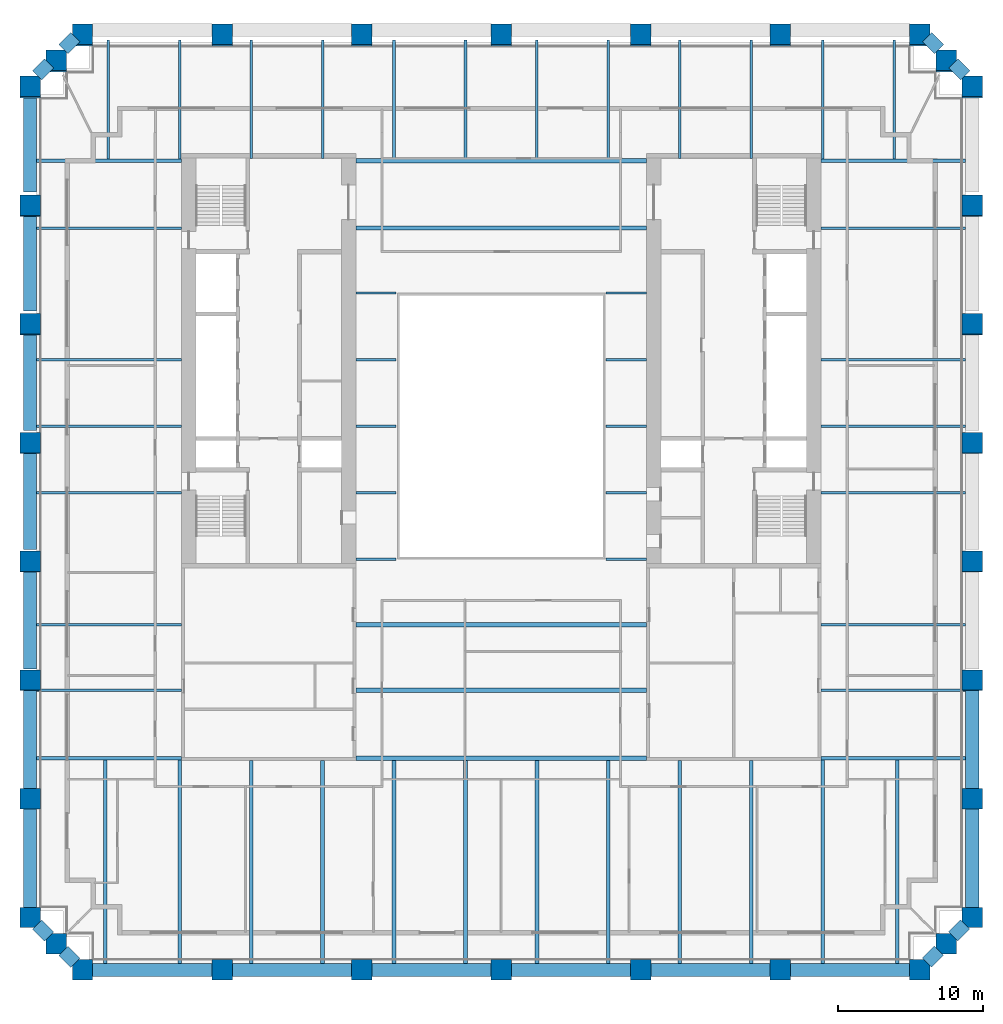
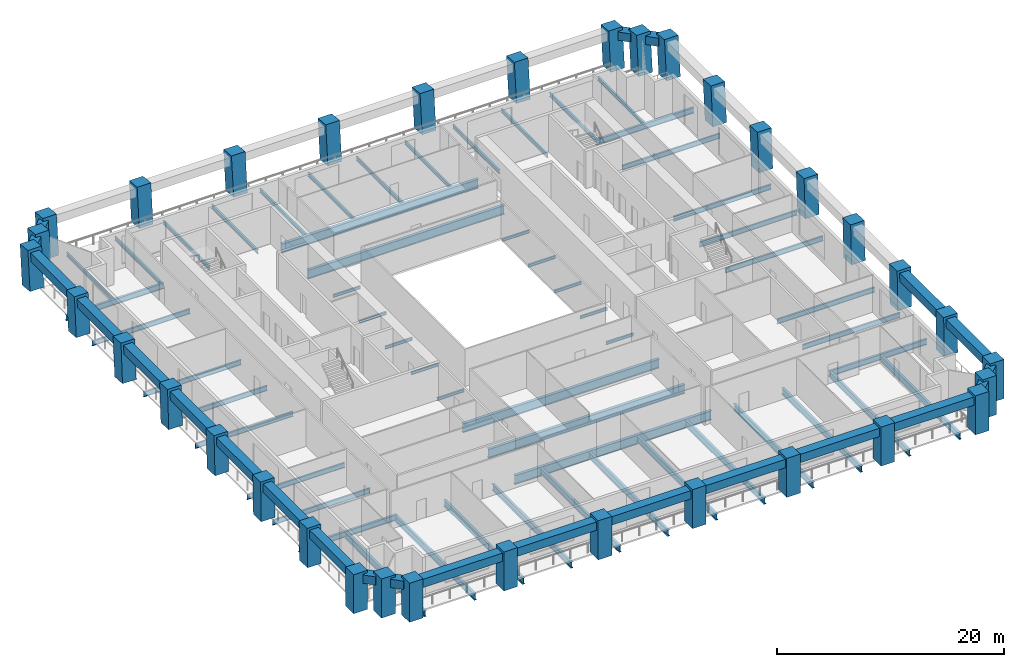
# One storey, part 1 of 9: 78 beams, 34 columns.
"""IFC4 building model written with IfcOpenShell, lengths in metres."""

import ifcopenshell
import ifcopenshell.guid

model = None  # the IFC model being written
_history = None  # IfcOwnerHistory: only IFC2X3 demands one
_inside = {}  # id of a spatial element -> (the spatial element, [elements in it])
_under = {}  # id of a project, library or spatial element -> (it, [spatial elements below it])
_declared = {}  # id of a project -> (the project, [libraries it declares])
_typed = {}  # id of a type object -> (the type object, [elements of that type])
_made_of = {}  # id of a material, layer set ... -> (it, [elements and type objects made of it])


def new_model(schema):
    """Start an empty IFC model of exactly this schema.

    Asked for "IFC4X3", IfcOpenShell would pick the latest addendum, in which some entities
    have other attributes; the version numbers below select the first issue.
    IFC2X3 requires an IfcOwnerHistory on every rooted entity: one is made here for all.
    """
    global model, _history
    if schema == "IFC4X3":
        model = ifcopenshell.file(schema_version=(4, 3, 0, 0))
    else:
        model = ifcopenshell.file(schema=schema)
    _inside.clear()
    _under.clear()
    _declared.clear()
    _typed.clear()
    _made_of.clear()
    _history = None
    if model.schema == "IFC2X3":
        org = make("IfcOrganization", Name="unknown")
        user = make(
            "IfcPersonAndOrganization",
            ThePerson=make("IfcPerson", FamilyName="unknown"),
            TheOrganization=org,
        )
        app = make(
            "IfcApplication",
            ApplicationDeveloper=org,
            Version="unknown",
            ApplicationFullName="unknown",
            ApplicationIdentifier="unknown",
        )
        _history = make(
            "IfcOwnerHistory",
            OwningUser=user,
            OwningApplication=app,
            ChangeAction="ADDED",
            CreationDate=0,
        )
    return model


def make(cls, **values):
    """One entity of the class cls with the attributes given. An attribute that is None is left unset."""
    return model.create_entity(
        cls, **{name: value for name, value in values.items() if value is not None}
    )


def rooted(cls, **values):
    """An entity with a GlobalId (a new one), such as an element, a storey or a relation."""
    return make(cls, GlobalId=ifcopenshell.guid.new(), OwnerHistory=_history, **values)


def si_unit(unit_type, name, prefix=None):
    """IfcSIUnit, for example si_unit("LENGTHUNIT", "METRE", prefix="MILLI")."""
    return make("IfcSIUnit", UnitType=unit_type, Prefix=prefix, Name=name)


def assignment(units):
    """IfcUnitAssignment: the units of a project."""
    return None if units is None else make("IfcUnitAssignment", Units=units)


def point(xyz):
    """IfcCartesianPoint."""
    return None if xyz is None else make("IfcCartesianPoint", Coordinates=xyz)


def direction(xyz):
    """IfcDirection."""
    return None if xyz is None else make("IfcDirection", DirectionRatios=xyz)


def frame(location, z_axis=None, x_axis=None):
    """IfcAxis2Placement3D, a coordinate frame: its origin and axes. An axis left out is left unset."""
    return make(
        "IfcAxis2Placement3D",
        Location=point(location),
        Axis=direction(z_axis),
        RefDirection=direction(x_axis),
    )


def frame_2d(location, x_axis=None):
    """IfcAxis2Placement2D, a coordinate frame in the plane: its origin and x axis."""
    return make(
        "IfcAxis2Placement2D", Location=point(location), RefDirection=direction(x_axis)
    )


def origin():
    """The frame at (0, 0, 0) with its axes left unset."""
    return frame((0.0, 0.0, 0.0))


def origin_2d():
    """The frame at (0, 0) in the plane with its x axis left unset."""
    return frame_2d((0.0, 0.0))


def place(relative_to, where):
    """IfcLocalPlacement: puts the frame where relative to a parent placement (None: the world)."""
    return make(
        "IfcLocalPlacement", PlacementRelTo=relative_to, RelativePlacement=where
    )


def context(
    kind, dimensions, precision=None, world=None, true_north=None, identifier=None
):
    """IfcGeometricRepresentationContext, for example the 3D "Model" context."""
    return make(
        "IfcGeometricRepresentationContext",
        ContextIdentifier=identifier,
        ContextType=kind,
        CoordinateSpaceDimension=dimensions,
        Precision=precision,
        WorldCoordinateSystem=world,
        TrueNorth=true_north,
    )


def subcontext(parent, identifier, kind, view, scale=None):
    """IfcGeometricRepresentationSubContext, for example "Body" below "Model"."""
    return make(
        "IfcGeometricRepresentationSubContext",
        ContextIdentifier=identifier,
        ContextType=kind,
        ParentContext=parent,
        TargetScale=scale,
        TargetView=view,
    )


def project(units=None, contexts=None):
    """IfcProject with its units and contexts."""
    return rooted(
        "IfcProject",
        Name="project",
        RepresentationContexts=contexts,
        UnitsInContext=assignment(units),
    )


def spatial(cls, under=None, at=None, **own):
    """A site, building, storey or space (cls), placed at a placement, below another one or the project."""
    s = rooted(cls, ObjectPlacement=at, **own)
    if under is not None:
        _under.setdefault(under.id(), (under, []))[1].append(s)
    return s


def profile(cls, at=None, kind="AREA", **sizes):
    """A parametric profile (cls). Its sizes go by their IFC names, for example OverallWidth=200.0."""
    return make(cls, ProfileType=kind, Position=at, **sizes)


def rectangle(**sizes):
    """IfcRectangleProfileDef."""
    return profile("IfcRectangleProfileDef", **sizes)


def i_section(**sizes):
    """IfcIShapeProfileDef."""
    return profile("IfcIShapeProfileDef", **sizes)


def extrude(swept, where, along, depth):
    """IfcExtrudedAreaSolid: the profile swept, set in the frame where, extruded along a direction by depth."""
    return make(
        "IfcExtrudedAreaSolid",
        SweptArea=swept,
        Position=where,
        ExtrudedDirection=direction(along),
        Depth=depth,
    )


def shape(context_of_items, identifier, shape_type, items):
    """IfcShapeRepresentation: the items that make up one representation, for example the "Body"."""
    return make(
        "IfcShapeRepresentation",
        ContextOfItems=context_of_items,
        RepresentationIdentifier=identifier,
        RepresentationType=shape_type,
        Items=items,
    )


def material(Name=None, Category=None):
    """IfcMaterial."""
    return make("IfcMaterial", Name=Name, Category=Category)


def material_profile(
    of_material, cross_section, Name=None, Category=None, Priority=None
):
    """IfcMaterialProfile: a cross section and its material."""
    return make(
        "IfcMaterialProfile",
        Name=Name,
        Material=of_material,
        Profile=cross_section,
        Priority=Priority,
        Category=Category,
    )


def profile_set(profiles, Name=None, composite=None):
    """IfcMaterialProfileSet."""
    return make(
        "IfcMaterialProfileSet",
        Name=Name,
        MaterialProfiles=profiles,
        CompositeProfile=composite,
    )


def made_of(thing, what):
    """Note that an element or type object is made of a material, layer set ...; save() writes the relation."""
    if what is not None:
        _made_of.setdefault(what.id(), (what, []))[1].append(thing)
    return thing


def type_object(cls, material=None, **own):
    """A type object (cls), such as IfcWallType, which elements share."""
    return made_of(rooted(cls, **own), material)


def element(
    cls,
    number,
    at=None,
    inside=None,
    cuts=None,
    type_object=None,
    material=None,
    context=None,
    identifier="Body",
    shape_type=None,
    held_by="IfcProductDefinitionShape",
    body=None,
    shapes=None,
    **own,
):
    """One element of the class cls, such as IfcWall. Its Tag is "e" and its number.

    at: its placement. inside: the storey or other place that contains it. cuts: it is an
    opening in that element (IfcRelVoidsElement). A single representation is given by context,
    identifier, shape_type and body (its items); several are given by shapes. held_by: the class
    of the entity that holds the representations. save() writes the other relations.
    """
    e = rooted(cls, Tag="e%d" % number, ObjectPlacement=at, **own)
    if body is not None:
        shapes = [shape(context, identifier, shape_type, body)]
    if shapes is not None:
        e.Representation = make(held_by, Representations=shapes)
    if inside is not None:
        _inside.setdefault(inside.id(), (inside, []))[1].append(e)
    if cuts is not None:
        rooted(
            "IfcRelVoidsElement", RelatingBuildingElement=cuts, RelatedOpeningElement=e
        )
    if type_object is not None:
        _typed.setdefault(type_object.id(), (type_object, []))[1].append(e)
    return made_of(e, material)


def aggregate(whole, parts):
    """IfcRelAggregates: a whole, such as a stair, and the parts it consists of."""
    return rooted("IfcRelAggregates", RelatingObject=whole, RelatedObjects=parts)


def save(model, path):
    """Write the relations noted so far, then the file.

    IfcRelAggregates (storeys below a building ...), IfcRelContainedInSpatialStructure (elements
    in a storey), IfcRelDefinesByType, IfcRelAssociatesMaterial and IfcRelDeclares: one each for
    every whole, place, type object, material and project.
    """
    for whole, parts in _under.values():
        aggregate(whole, parts)
    for where, things in _inside.values():
        rooted(
            "IfcRelContainedInSpatialStructure",
            RelatedElements=things,
            RelatingStructure=where,
        )
    for kind, things in _typed.values():
        rooted("IfcRelDefinesByType", RelatedObjects=things, RelatingType=kind)
    for what, things in _made_of.values():
        rooted("IfcRelAssociatesMaterial", RelatedObjects=things, RelatingMaterial=what)
    for by, libraries in _declared.values():
        rooted("IfcRelDeclares", RelatingContext=by, RelatedDefinitions=libraries)
    model.write(path)


model = new_model("IFC4")

# Units and contexts
model_context = context("Model", 3, precision=1e-05, world=origin(), true_north=direction((0.0, 1.0)))
body_context = subcontext(model_context, "Body", "Model", "MODEL_VIEW")
ifc_project = project(units=[si_unit("LENGTHUNIT", "METRE"), si_unit("AREAUNIT", "SQUARE_METRE"), si_unit("VOLUMEUNIT", "CUBIC_METRE"), si_unit("PLANEANGLEUNIT", "RADIAN"), si_unit("MASSUNIT", "GRAM", prefix="KILO")], contexts=[model_context])

# Site, building, storey
site_placement = place(None, origin())
site = spatial("IfcSite", under=ifc_project, at=site_placement, CompositionType="ELEMENT")
building_placement = place(site_placement, origin())
building = spatial("IfcBuilding", under=site, at=building_placement, Name="Ogive Exchange Tower", CompositionType="ELEMENT")
storey_placement = place(building_placement, frame((0.0, 0.0, 60.60009765625)))
storey = spatial("IfcBuildingStorey", under=building, at=storey_placement, Name="L12", CompositionType="ELEMENT", Elevation=60.60009765625)

# Columns
ifc_material_1 = material(Name="Precast concrete C70/85 (limestone faced)", Category="masonry")
ifc_material_profile_1 = material_profile(ifc_material_1, rectangle(XDim=1.39990234375, YDim=1.39990234375, at=origin_2d()), Name="1400 x 1400")
ifc_profile_set_1 = profile_set([ifc_material_profile_1], Name="Precast concrete C70/85 (limestone faced)")
column_type = type_object("IfcColumnType", Name="Precast exoskeleton leg 1400 x 1400 C70/85", PredefinedType="COLUMN", material=ifc_profile_set_1)
for number, where, z_axis, x_axis, name in (
    (1, (-28.800048828125, -30.39990234375, 0.0), (0.0, 0.0, 1.0), (1.0, 0.0, 0.0), "Exoskeleton leg 1"),
    (2, (-19.199951171875, -30.39990234375, 0.0), (0.0, 0.0, 1.0), (1.0, 0.0, 0.0), "Exoskeleton leg 2"),
    (3, (-9.60009765625, -30.39990234375, 0.0), (0.0, 0.0, 1.0), (1.0, 0.0, 0.0), "Exoskeleton leg 3"),
    (4, (0.0, -30.39990234375, 0.0), (0.0, 0.0, 1.0), (1.0, 0.0, 0.0), "Exoskeleton leg 4"),
    (5, (9.60009765625, -30.39990234375, 0.0), (0.0, 0.0, 1.0), (1.0, 0.0, 0.0), "Exoskeleton leg 5"),
    (6, (19.199951171875, -30.39990234375, 0.0), (0.0, 0.0, 1.0), (1.0, 0.0, 0.0), "Exoskeleton leg 6"),
    (7, (28.800048828125, -30.39990234375, 0.0), (0.0, 0.0, 1.0), (1.0, 0.0, 0.0), "Exoskeleton leg 7"),
    (8, (32.39990234375, -26.800048828125, 0.0), (0.0, 0.0, 1.0), (1.0, 0.0, 0.0), "Exoskeleton leg 8"),
):
    element("IfcColumn", number, at=place(storey_placement, frame(where, z_axis=z_axis, x_axis=x_axis)), inside=storey, type_object=column_type, Name=name, PredefinedType="COLUMN", context=body_context, shape_type="SweptSolid", body=[
        extrude(rectangle(XDim=1.39990234375, YDim=1.39990234375, at=origin_2d()), origin(), (0.0, 0.0, 1.0), 4.199951171875),
    ])
column_1_placement = place(storey_placement, frame((32.39990234375, -18.6494140625, 0.0), z_axis=(0.0, 0.013019881024, 0.999915237757), x_axis=(-1.0, 0.0, 0.0)))
element("IfcColumn", 9, at=column_1_placement, inside=storey, type_object=column_type, Name="Exoskeleton leg 9", PredefinedType="COLUMN", context=body_context, shape_type="SweptSolid", body=[
    extrude(rectangle(XDim=1.39990234375, YDim=1.39990234375, at=origin_2d()), origin(), (0.0, 0.0, 1.0), 4.2001953125),
])
column_2_placement = place(storey_placement, frame((32.39990234375, -10.498779296875, 0.0), z_axis=(0.0, 0.025975072843, 0.999662590873), x_axis=(-1.0, 0.0, 0.0)))
element("IfcColumn", 10, at=column_2_placement, inside=storey, type_object=column_type, Name="Exoskeleton leg 10", PredefinedType="COLUMN", context=body_context, shape_type="SweptSolid", body=[
    extrude(rectangle(XDim=1.39990234375, YDim=1.39990234375, at=origin_2d()), origin(), (0.0, 0.0, 1.0), 4.201416015625),
])
column_3_placement = place(storey_placement, frame((32.39990234375, -2.34814453125, 0.0), z_axis=(0.0, 0.038975188043, 0.999240178694), x_axis=(-1.0, 0.0, 0.0)))
element("IfcColumn", 11, at=column_3_placement, inside=storey, type_object=column_type, Name="Exoskeleton leg 11", PredefinedType="COLUMN", context=body_context, shape_type="SweptSolid", body=[
    extrude(rectangle(XDim=1.39990234375, YDim=1.39990234375, at=origin_2d()), origin(), (0.0, 0.0, 1.0), 4.203125),
])
column_4_placement = place(storey_placement, frame((32.39990234375, 5.802490234375, 0.0), z_axis=(0.0, 0.051897648879, 0.99865240902), x_axis=(-1.0, 0.0, 0.0)))
element("IfcColumn", 12, at=column_4_placement, inside=storey, type_object=column_type, Name="Exoskeleton leg 12", PredefinedType="COLUMN", context=body_context, shape_type="SweptSolid", body=[
    extrude(rectangle(XDim=1.39990234375, YDim=1.39990234375, at=origin_2d()), origin(), (0.0, 0.0, 1.0), 4.20556640625),
])
column_5_placement = place(storey_placement, frame((32.39990234375, 13.953125, 0.0), z_axis=(0.0, 0.064851857298, 0.997894902585), x_axis=(-1.0, 0.0, 0.0)))
element("IfcColumn", 13, at=column_5_placement, inside=storey, type_object=column_type, Name="Exoskeleton leg 13", PredefinedType="COLUMN", context=body_context, shape_type="SweptSolid", body=[
    extrude(rectangle(XDim=1.39990234375, YDim=1.39990234375, at=origin_2d()), origin(), (0.0, 0.0, 1.0), 4.208740234375),
])
column_6_placement = place(storey_placement, frame((32.39990234375, 22.10400390625, 0.0), z_axis=(0.0, 0.077658156178, 0.996980045326), x_axis=(-1.0, 0.0, 0.0)))
element("IfcColumn", 14, at=column_6_placement, inside=storey, type_object=column_type, Name="Exoskeleton leg 14", PredefinedType="COLUMN", context=body_context, shape_type="SweptSolid", body=[
    extrude(rectangle(XDim=1.39990234375, YDim=1.39990234375, at=origin_2d()), origin(), (0.0, 0.0, 1.0), 4.212646484375),
])
for number, where, z_axis, x_axis, name in (
    (15, (32.39990234375, 30.25439453125, 0.0), (0.0, 0.090598381313, 0.995887510366), (-1.0, 0.0, 0.0), "Exoskeleton leg 15"),
    (16, (28.800048828125, 33.8544921875, 0.0), (0.0, 0.090540965689, 0.995892731941), (-1.0, 0.0, 0.0), "Exoskeleton leg 16"),
    (17, (19.199951171875, 33.8544921875, 0.0), (0.0, 0.090540965689, 0.995892731941), (-1.0, 0.0, 0.0), "Exoskeleton leg 17"),
    (18, (9.60009765625, 33.8544921875, 0.0), (0.0, 0.090540965689, 0.995892731941), (-1.0, 0.0, 0.0), "Exoskeleton leg 18"),
    (19, (0.0, 33.8544921875, 0.0), (0.0, 0.090540965689, 0.995892731941), (-1.0, 0.0, 0.0), "Exoskeleton leg 19"),
    (20, (-9.60009765625, 33.8544921875, 0.0), (0.0, 0.090540965689, 0.995892731941), (-1.0, 0.0, 0.0), "Exoskeleton leg 20"),
    (21, (-19.199951171875, 33.8544921875, 0.0), (0.0, 0.090540965689, 0.995892731941), (-1.0, 0.0, 0.0), "Exoskeleton leg 21"),
    (22, (-28.800048828125, 33.8544921875, 0.0), (0.0, 0.090540965689, 0.995892731941), (-1.0, 0.0, 0.0), "Exoskeleton leg 22"),
    (23, (-32.39990234375, 30.25439453125, 0.0), (0.0, 0.090598381313, 0.995887510366), (-1.0, 0.0, 0.0), "Exoskeleton leg 23"),
):
    element("IfcColumn", number, at=place(storey_placement, frame(where, z_axis=z_axis, x_axis=x_axis)), inside=storey, type_object=column_type, Name=name, PredefinedType="COLUMN", context=body_context, shape_type="SweptSolid", body=[
        extrude(rectangle(XDim=1.39990234375, YDim=1.39990234375, at=origin_2d()), origin(), (0.0, 0.0, 1.0), 4.21728515625),
    ])
column_7_placement = place(storey_placement, frame((-32.39990234375, 22.10400390625, 0.0), z_axis=(0.0, 0.077658156178, 0.996980045326), x_axis=(-1.0, 0.0, 0.0)))
element("IfcColumn", 24, at=column_7_placement, inside=storey, type_object=column_type, Name="Exoskeleton leg 24", PredefinedType="COLUMN", context=body_context, shape_type="SweptSolid", body=[
    extrude(rectangle(XDim=1.39990234375, YDim=1.39990234375, at=origin_2d()), origin(), (0.0, 0.0, 1.0), 4.212646484375),
])
column_8_placement = place(storey_placement, frame((-32.39990234375, 13.953125, 0.0), z_axis=(0.0, 0.064851857298, 0.997894902585), x_axis=(-1.0, 0.0, 0.0)))
element("IfcColumn", 25, at=column_8_placement, inside=storey, type_object=column_type, Name="Exoskeleton leg 25", PredefinedType="COLUMN", context=body_context, shape_type="SweptSolid", body=[
    extrude(rectangle(XDim=1.39990234375, YDim=1.39990234375, at=origin_2d()), origin(), (0.0, 0.0, 1.0), 4.208740234375),
])
column_9_placement = place(storey_placement, frame((-32.39990234375, 5.802490234375, 0.0), z_axis=(0.0, 0.051897648879, 0.99865240902), x_axis=(-1.0, 0.0, 0.0)))
element("IfcColumn", 26, at=column_9_placement, inside=storey, type_object=column_type, Name="Exoskeleton leg 26", PredefinedType="COLUMN", context=body_context, shape_type="SweptSolid", body=[
    extrude(rectangle(XDim=1.39990234375, YDim=1.39990234375, at=origin_2d()), origin(), (0.0, 0.0, 1.0), 4.20556640625),
])
column_10_placement = place(storey_placement, frame((-32.39990234375, -2.34814453125, 0.0), z_axis=(0.0, 0.038975188043, 0.999240178694), x_axis=(-1.0, 0.0, 0.0)))
element("IfcColumn", 27, at=column_10_placement, inside=storey, type_object=column_type, Name="Exoskeleton leg 27", PredefinedType="COLUMN", context=body_context, shape_type="SweptSolid", body=[
    extrude(rectangle(XDim=1.39990234375, YDim=1.39990234375, at=origin_2d()), origin(), (0.0, 0.0, 1.0), 4.203125),
])
column_11_placement = place(storey_placement, frame((-32.39990234375, -10.498779296875, 0.0), z_axis=(0.0, 0.025975072843, 0.999662590873), x_axis=(-1.0, 0.0, 0.0)))
element("IfcColumn", 28, at=column_11_placement, inside=storey, type_object=column_type, Name="Exoskeleton leg 28", PredefinedType="COLUMN", context=body_context, shape_type="SweptSolid", body=[
    extrude(rectangle(XDim=1.39990234375, YDim=1.39990234375, at=origin_2d()), origin(), (0.0, 0.0, 1.0), 4.201416015625),
])
column_12_placement = place(storey_placement, frame((-32.39990234375, -18.6494140625, 0.0), z_axis=(0.0, 0.013019881024, 0.999915237757), x_axis=(-1.0, 0.0, 0.0)))
element("IfcColumn", 29, at=column_12_placement, inside=storey, type_object=column_type, Name="Exoskeleton leg 29", PredefinedType="COLUMN", context=body_context, shape_type="SweptSolid", body=[
    extrude(rectangle(XDim=1.39990234375, YDim=1.39990234375, at=origin_2d()), origin(), (0.0, 0.0, 1.0), 4.2001953125),
])
for number, where, z_axis, x_axis, name in (
    (30, (-32.39990234375, -26.800048828125, 0.0), (0.0, 0.0, 1.0), (1.0, 0.0, 0.0), "Exoskeleton leg 30"),
    (31, (30.60009765625, -28.60009765625, 0.0), (0.0, 0.0, 1.0), (1.0, 0.0, 0.0), "Exoskeleton leg 31"),
):
    element("IfcColumn", number, at=place(storey_placement, frame(where, z_axis=z_axis, x_axis=x_axis)), inside=storey, type_object=column_type, Name=name, PredefinedType="COLUMN", context=body_context, shape_type="SweptSolid", body=[
        extrude(rectangle(XDim=1.39990234375, YDim=1.39990234375, at=origin_2d()), origin(), (0.0, 0.0, 1.0), 4.199951171875),
    ])
for number, where, z_axis, x_axis, name in (
    (32, (30.60009765625, 32.054443359375, 0.0), (0.0, 0.090540965689, 0.995892731941), (-1.0, 0.0, 0.0), "Exoskeleton leg 32"),
    (33, (-30.60009765625, 32.054443359375, 0.0), (0.0, 0.090540965689, 0.995892731941), (-1.0, 0.0, 0.0), "Exoskeleton leg 33"),
):
    element("IfcColumn", number, at=place(storey_placement, frame(where, z_axis=z_axis, x_axis=x_axis)), inside=storey, type_object=column_type, Name=name, PredefinedType="COLUMN", context=body_context, shape_type="SweptSolid", body=[
        extrude(rectangle(XDim=1.39990234375, YDim=1.39990234375, at=origin_2d()), origin(), (0.0, 0.0, 1.0), 4.21728515625),
    ])
column_13_placement = place(storey_placement, frame((-30.60009765625, -28.60009765625, 0.0), z_axis=(0.0, 0.0, 1.0), x_axis=(1.0, 0.0, 0.0)))
element("IfcColumn", 34, at=column_13_placement, inside=storey, type_object=column_type, Name="Exoskeleton leg 34", PredefinedType="COLUMN", context=body_context, shape_type="SweptSolid", body=[
    extrude(rectangle(XDim=1.39990234375, YDim=1.39990234375, at=origin_2d()), origin(), (0.0, 0.0, 1.0), 4.199951171875),
])

# Beams
ifc_material_2 = material(Name="Steel ASTM A992 Gr50", Category="steel")
ifc_material_profile_2 = material_profile(ifc_material_2, i_section(OverallWidth=0.300048828125, OverallDepth=0.969970703125, WebThickness=0.01611328125, FlangeThickness=0.02099609375, at=origin_2d()), Name="W1000x222")
ifc_profile_set_2 = profile_set([ifc_material_profile_2], Name="Steel ASTM A992 Gr50")
beam_type_1 = type_object("IfcBeamType", Name="Floor beam W1000x222", PredefinedType="JOIST", material=ifc_profile_set_2)
for number, where, z_axis, x_axis, name in (
    (35, (-10.0, -11.17822265625, -0.68505859375), (1.0, 0.0, 0.0), (0.0, 1.0, 0.0), "Floor beam"),
    (36, (-10.0, -6.666748046875, -0.68505859375), (1.0, 0.0, 0.0), (0.0, 1.0, 0.0), "Floor beam"),
    (37, (-10.0, 20.62255859375, -0.68505859375), (1.0, 0.0, 0.0), (0.0, 1.0, 0.0), "Floor beam"),
):
    element("IfcBeam", number, at=place(storey_placement, frame(where, z_axis=z_axis, x_axis=x_axis)), inside=storey, type_object=beam_type_1, Name=name, PredefinedType="JOIST", context=body_context, shape_type="SweptSolid", body=[
        extrude(i_section(OverallWidth=0.300048828125, OverallDepth=0.969970703125, WebThickness=0.01611328125, FlangeThickness=0.02099609375, at=origin_2d()), origin(), (0.0, 0.0, 1.0), 20.0),
    ])
ifc_material_profile_3 = material_profile(ifc_material_2, i_section(OverallWidth=0.1650390625, OverallDepth=0.31005859375, WebThickness=0.005859375, FlangeThickness=0.009765625, at=origin_2d()), Name="W310x38.7")
ifc_profile_set_3 = profile_set([ifc_material_profile_3], Name="Steel ASTM A992 Gr50")
beam_type_2 = type_object("IfcBeamType", Name="Floor beam W310x38.7", PredefinedType="JOIST", material=ifc_profile_set_3)
for number, where, z_axis, x_axis, name in (
    (38, (-10.0, 2.422607421875, -0.35498046875), (1.0, 0.0, 0.0), (0.0, 1.0, 0.0), "Floor beam"),
    (39, (7.219970703125, 2.422607421875, -0.35498046875), (1.0, 0.0, 0.0), (0.0, 1.0, 0.0), "Floor beam"),
    (40, (-10.0, 7.0, -0.35498046875), (1.0, 0.0, 0.0), (0.0, 1.0, 0.0), "Floor beam"),
    (41, (7.219970703125, 7.0, -0.35498046875), (1.0, 0.0, 0.0), (0.0, 1.0, 0.0), "Floor beam"),
    (42, (-10.0, 11.577392578125, -0.35498046875), (1.0, 0.0, 0.0), (0.0, 1.0, 0.0), "Floor beam"),
    (43, (7.219970703125, 11.577392578125, -0.35498046875), (1.0, 0.0, 0.0), (0.0, 1.0, 0.0), "Floor beam"),
):
    element("IfcBeam", number, at=place(storey_placement, frame(where, z_axis=z_axis, x_axis=x_axis)), inside=storey, type_object=beam_type_2, Name=name, PredefinedType="JOIST", context=body_context, shape_type="SweptSolid", body=[
        extrude(i_section(OverallWidth=0.1650390625, OverallDepth=0.31005859375, WebThickness=0.005859375, FlangeThickness=0.009765625, at=origin_2d()), origin(), (0.0, 0.0, 1.0), 2.780029296875),
    ])
ifc_material_profile_4 = material_profile(ifc_material_2, i_section(OverallWidth=0.177978515625, OverallDepth=0.406005859375, WebThickness=0.0078125, FlangeThickness=0.0126953125, at=origin_2d()), Name="W410x60")
ifc_profile_set_4 = profile_set([ifc_material_profile_4], Name="Steel ASTM A992 Gr50")
beam_type_3 = type_object("IfcBeamType", Name="Floor beam W410x60", PredefinedType="JOIST", material=ifc_profile_set_4)
for number, where, z_axis, x_axis, name in (
    (44, (-27.03466796875, 25.35888671875, -0.403076171875), (0.0, 1.0, 0.0), (-1.0, 0.0, 0.0), "Floor beam"),
    (45, (-22.119140625, 25.35888671875, -0.403076171875), (0.0, 1.0, 0.0), (-1.0, 0.0, 0.0), "Floor beam"),
):
    element("IfcBeam", number, at=place(storey_placement, frame(where, z_axis=z_axis, x_axis=x_axis)), inside=storey, type_object=beam_type_3, Name=name, PredefinedType="JOIST", context=body_context, shape_type="SweptSolid", body=[
        extrude(i_section(OverallWidth=0.177978515625, OverallDepth=0.406005859375, WebThickness=0.0078125, FlangeThickness=0.0126953125, at=origin_2d()), origin(), (0.0, 0.0, 1.0), 8.195556640625),
    ])
for number, where, z_axis, x_axis, name in (
    (46, (-17.203857421875, 25.39990234375, -0.403076171875), (0.0, 1.0, 0.0), (-1.0, 0.0, 0.0), "Floor beam"),
    (47, (-12.28857421875, 25.39990234375, -0.403076171875), (0.0, 1.0, 0.0), (-1.0, 0.0, 0.0), "Floor beam"),
):
    element("IfcBeam", number, at=place(storey_placement, frame(where, z_axis=z_axis, x_axis=x_axis)), inside=storey, type_object=beam_type_3, Name=name, PredefinedType="JOIST", context=body_context, shape_type="SweptSolid", body=[
        extrude(i_section(OverallWidth=0.177978515625, OverallDepth=0.406005859375, WebThickness=0.0078125, FlangeThickness=0.0126953125, at=origin_2d()), origin(), (0.0, 0.0, 1.0), 8.154541015625),
    ])
for number, where, z_axis, x_axis, name in (
    (48, (-7.373046875, 25.39501953125, -0.403076171875), (0.0, 1.0, 0.0), (-1.0, 0.0, 0.0), "Floor beam"),
    (49, (-2.457763671875, 25.39501953125, -0.403076171875), (0.0, 1.0, 0.0), (-1.0, 0.0, 0.0), "Floor beam"),
    (50, (2.457763671875, 25.39501953125, -0.403076171875), (0.0, 1.0, 0.0), (-1.0, 0.0, 0.0), "Floor beam"),
    (51, (7.373046875, 25.39501953125, -0.403076171875), (0.0, 1.0, 0.0), (-1.0, 0.0, 0.0), "Floor beam"),
):
    element("IfcBeam", number, at=place(storey_placement, frame(where, z_axis=z_axis, x_axis=x_axis)), inside=storey, type_object=beam_type_3, Name=name, PredefinedType="JOIST", context=body_context, shape_type="SweptSolid", body=[
        extrude(i_section(OverallWidth=0.177978515625, OverallDepth=0.406005859375, WebThickness=0.0078125, FlangeThickness=0.0126953125, at=origin_2d()), origin(), (0.0, 0.0, 1.0), 8.159423828125),
    ])
for number, where, z_axis, x_axis, name in (
    (52, (12.28857421875, 25.39990234375, -0.403076171875), (0.0, 1.0, 0.0), (-1.0, 0.0, 0.0), "Floor beam"),
    (53, (17.203857421875, 25.39990234375, -0.403076171875), (0.0, 1.0, 0.0), (-1.0, 0.0, 0.0), "Floor beam"),
):
    element("IfcBeam", number, at=place(storey_placement, frame(where, z_axis=z_axis, x_axis=x_axis)), inside=storey, type_object=beam_type_3, Name=name, PredefinedType="JOIST", context=body_context, shape_type="SweptSolid", body=[
        extrude(i_section(OverallWidth=0.177978515625, OverallDepth=0.406005859375, WebThickness=0.0078125, FlangeThickness=0.0126953125, at=origin_2d()), origin(), (0.0, 0.0, 1.0), 8.154541015625),
    ])
for number, where, z_axis, x_axis, name in (
    (54, (22.119140625, 25.35888671875, -0.403076171875), (0.0, 1.0, 0.0), (-1.0, 0.0, 0.0), "Floor beam"),
    (55, (27.03466796875, 25.35888671875, -0.403076171875), (0.0, 1.0, 0.0), (-1.0, 0.0, 0.0), "Floor beam"),
):
    element("IfcBeam", number, at=place(storey_placement, frame(where, z_axis=z_axis, x_axis=x_axis)), inside=storey, type_object=beam_type_3, Name=name, PredefinedType="JOIST", context=body_context, shape_type="SweptSolid", body=[
        extrude(i_section(OverallWidth=0.177978515625, OverallDepth=0.406005859375, WebThickness=0.0078125, FlangeThickness=0.0126953125, at=origin_2d()), origin(), (0.0, 0.0, 1.0), 8.195556640625),
    ])
ifc_material_profile_5 = material_profile(ifc_material_2, i_section(OverallWidth=0.1669921875, OverallDepth=0.535888671875, WebThickness=0.01025390625, FlangeThickness=0.0166015625, at=origin_2d()), Name="W530x85")
ifc_profile_set_5 = profile_set([ifc_material_profile_5], Name="Steel ASTM A992 Gr50")
beam_type_4 = type_object("IfcBeamType", Name="Floor beam W530x85", PredefinedType="JOIST", material=ifc_profile_set_5)
for number, where, z_axis, x_axis, name in (
    (56, (-31.949951171875, -11.17822265625, -0.468017578125), (1.0, 0.0, 0.0), (0.0, 1.0, 0.0), "Floor beam"),
    (57, (22.0, -11.17822265625, -0.468017578125), (1.0, 0.0, 0.0), (0.0, 1.0, 0.0), "Floor beam"),
    (58, (-31.949951171875, -6.666748046875, -0.468017578125), (1.0, 0.0, 0.0), (0.0, 1.0, 0.0), "Floor beam"),
    (59, (22.0, -6.666748046875, -0.468017578125), (1.0, 0.0, 0.0), (0.0, 1.0, 0.0), "Floor beam"),
    (60, (-31.949951171875, 2.422607421875, -0.468017578125), (1.0, 0.0, 0.0), (0.0, 1.0, 0.0), "Floor beam"),
    (61, (22.0, 2.422607421875, -0.468017578125), (1.0, 0.0, 0.0), (0.0, 1.0, 0.0), "Floor beam"),
    (62, (-31.949951171875, 7.0, -0.468017578125), (1.0, 0.0, 0.0), (0.0, 1.0, 0.0), "Floor beam"),
    (63, (22.0, 7.0, -0.468017578125), (1.0, 0.0, 0.0), (0.0, 1.0, 0.0), "Floor beam"),
    (64, (-31.949951171875, 11.577392578125, -0.468017578125), (1.0, 0.0, 0.0), (0.0, 1.0, 0.0), "Floor beam"),
    (65, (22.0, 11.577392578125, -0.468017578125), (1.0, 0.0, 0.0), (0.0, 1.0, 0.0), "Floor beam"),
    (66, (-31.949951171875, 20.62255859375, -0.468017578125), (1.0, 0.0, 0.0), (0.0, 1.0, 0.0), "Floor beam"),
    (67, (22.0, 20.62255859375, -0.468017578125), (1.0, 0.0, 0.0), (0.0, 1.0, 0.0), "Floor beam"),
):
    element("IfcBeam", number, at=place(storey_placement, frame(where, z_axis=z_axis, x_axis=x_axis)), inside=storey, type_object=beam_type_4, Name=name, PredefinedType="JOIST", context=body_context, shape_type="SweptSolid", body=[
        extrude(i_section(OverallWidth=0.1669921875, OverallDepth=0.535888671875, WebThickness=0.01025390625, FlangeThickness=0.0166015625, at=origin_2d()), origin(), (0.0, 0.0, 1.0), 9.949951171875),
    ])
ifc_material_profile_6 = material_profile(ifc_material_2, i_section(OverallWidth=0.25390625, OverallDepth=0.677978515625, WebThickness=0.01171875, FlangeThickness=0.016357421875, at=origin_2d()), Name="W690x125")
ifc_profile_set_6 = profile_set([ifc_material_profile_6], Name="Steel ASTM A992 Gr50")
beam_type_5 = type_object("IfcBeamType", Name="Floor beam W690x125", PredefinedType="JOIST", material=ifc_profile_set_6)
for number, where, z_axis, x_axis, name in (
    (68, (-27.234619140625, -29.949951171875, -0.5390625), (0.0, 1.0, 0.0), (-1.0, 0.0, 0.0), "Floor beam"),
    (69, (-22.119140625, -29.949951171875, -0.5390625), (0.0, 1.0, 0.0), (-1.0, 0.0, 0.0), "Floor beam"),
):
    element("IfcBeam", number, at=place(storey_placement, frame(where, z_axis=z_axis, x_axis=x_axis)), inside=storey, type_object=beam_type_5, Name=name, PredefinedType="JOIST", context=body_context, shape_type="SweptSolid", body=[
        extrude(i_section(OverallWidth=0.25390625, OverallDepth=0.677978515625, WebThickness=0.01171875, FlangeThickness=0.016357421875, at=origin_2d()), origin(), (0.0, 0.0, 1.0), 13.990966796875),
    ])
for number, where, z_axis, x_axis, name in (
    (70, (-17.203857421875, -29.949951171875, -0.5390625), (0.0, 1.0, 0.0), (-1.0, 0.0, 0.0), "Floor beam"),
    (71, (-12.28857421875, -29.949951171875, -0.5390625), (0.0, 1.0, 0.0), (-1.0, 0.0, 0.0), "Floor beam"),
):
    element("IfcBeam", number, at=place(storey_placement, frame(where, z_axis=z_axis, x_axis=x_axis)), inside=storey, type_object=beam_type_5, Name=name, PredefinedType="JOIST", context=body_context, shape_type="SweptSolid", body=[
        extrude(i_section(OverallWidth=0.25390625, OverallDepth=0.677978515625, WebThickness=0.01171875, FlangeThickness=0.016357421875, at=origin_2d()), origin(), (0.0, 0.0, 1.0), 13.949951171875),
    ])
for number, where, z_axis, x_axis, name in (
    (72, (-7.373046875, -29.949951171875, -0.5390625), (0.0, 1.0, 0.0), (-1.0, 0.0, 0.0), "Floor beam"),
    (73, (-2.457763671875, -29.949951171875, -0.5390625), (0.0, 1.0, 0.0), (-1.0, 0.0, 0.0), "Floor beam"),
    (74, (2.457763671875, -29.949951171875, -0.5390625), (0.0, 1.0, 0.0), (-1.0, 0.0, 0.0), "Floor beam"),
    (75, (7.373046875, -29.949951171875, -0.5390625), (0.0, 1.0, 0.0), (-1.0, 0.0, 0.0), "Floor beam"),
):
    element("IfcBeam", number, at=place(storey_placement, frame(where, z_axis=z_axis, x_axis=x_axis)), inside=storey, type_object=beam_type_5, Name=name, PredefinedType="JOIST", context=body_context, shape_type="SweptSolid", body=[
        extrude(i_section(OverallWidth=0.25390625, OverallDepth=0.677978515625, WebThickness=0.01171875, FlangeThickness=0.016357421875, at=origin_2d()), origin(), (0.0, 0.0, 1.0), 13.954833984375),
    ])
for number, where, z_axis, x_axis, name in (
    (76, (12.28857421875, -29.949951171875, -0.5390625), (0.0, 1.0, 0.0), (-1.0, 0.0, 0.0), "Floor beam"),
    (77, (17.203857421875, -29.949951171875, -0.5390625), (0.0, 1.0, 0.0), (-1.0, 0.0, 0.0), "Floor beam"),
):
    element("IfcBeam", number, at=place(storey_placement, frame(where, z_axis=z_axis, x_axis=x_axis)), inside=storey, type_object=beam_type_5, Name=name, PredefinedType="JOIST", context=body_context, shape_type="SweptSolid", body=[
        extrude(i_section(OverallWidth=0.25390625, OverallDepth=0.677978515625, WebThickness=0.01171875, FlangeThickness=0.016357421875, at=origin_2d()), origin(), (0.0, 0.0, 1.0), 13.949951171875),
    ])
for number, where, z_axis, x_axis, name in (
    (78, (22.119140625, -29.949951171875, -0.5390625), (0.0, 1.0, 0.0), (-1.0, 0.0, 0.0), "Floor beam"),
    (79, (27.234619140625, -29.949951171875, -0.5390625), (0.0, 1.0, 0.0), (-1.0, 0.0, 0.0), "Floor beam"),
):
    element("IfcBeam", number, at=place(storey_placement, frame(where, z_axis=z_axis, x_axis=x_axis)), inside=storey, type_object=beam_type_5, Name=name, PredefinedType="JOIST", context=body_context, shape_type="SweptSolid", body=[
        extrude(i_section(OverallWidth=0.25390625, OverallDepth=0.677978515625, WebThickness=0.01171875, FlangeThickness=0.016357421875, at=origin_2d()), origin(), (0.0, 0.0, 1.0), 13.990966796875),
    ])
ifc_material_profile_7 = material_profile(ifc_material_2, i_section(OverallWidth=0.300048828125, OverallDepth=0.97998046875, WebThickness=0.0166015625, FlangeThickness=0.026123046875, at=origin_2d()), Name="W1000x249")
ifc_profile_set_7 = profile_set([ifc_material_profile_7], Name="Steel ASTM A992 Gr50")
beam_type_6 = type_object("IfcBeamType", Name="Girder W1000x249", PredefinedType="BEAM", material=ifc_profile_set_7)
for number, where, z_axis, x_axis, name in (
    (80, (-10.0, -15.844970703125, -0.690185546875), (1.0, 0.0, 0.0), (0.0, 1.0, 0.0), "Header girder"),
    (81, (-10.0, 25.2451171875, -0.690185546875), (1.0, 0.0, 0.0), (0.0, 1.0, 0.0), "Header girder"),
):
    element("IfcBeam", number, at=place(storey_placement, frame(where, z_axis=z_axis, x_axis=x_axis)), inside=storey, type_object=beam_type_6, Name=name, PredefinedType="BEAM", context=body_context, shape_type="SweptSolid", body=[
        extrude(i_section(OverallWidth=0.300048828125, OverallDepth=0.97998046875, WebThickness=0.0166015625, FlangeThickness=0.026123046875, at=origin_2d()), origin(), (0.0, 0.0, 1.0), 20.0),
    ])
ifc_material_profile_8 = material_profile(ifc_material_2, i_section(OverallWidth=0.1650390625, OverallDepth=0.31005859375, WebThickness=0.005859375, FlangeThickness=0.009765625, at=origin_2d()), Name="W310x38.7")
ifc_profile_set_8 = profile_set([ifc_material_profile_8], Name="Steel ASTM A992 Gr50")
beam_type_7 = type_object("IfcBeamType", Name="Girder W310x38.7", PredefinedType="BEAM", material=ifc_profile_set_8)
for number, where, z_axis, x_axis, name in (
    (82, (-10.0, -2.155029296875, -0.35498046875), (1.0, 0.0, 0.0), (0.0, 1.0, 0.0), "Trimmer girder"),
    (83, (7.219970703125, -2.155029296875, -0.35498046875), (1.0, 0.0, 0.0), (0.0, 1.0, 0.0), "Trimmer girder"),
    (84, (-10.0, 16.155029296875, -0.35498046875), (1.0, 0.0, 0.0), (0.0, 1.0, 0.0), "Trimmer girder"),
    (85, (7.219970703125, 16.155029296875, -0.35498046875), (1.0, 0.0, 0.0), (0.0, 1.0, 0.0), "Trimmer girder"),
):
    element("IfcBeam", number, at=place(storey_placement, frame(where, z_axis=z_axis, x_axis=x_axis)), inside=storey, type_object=beam_type_7, Name=name, PredefinedType="BEAM", context=body_context, shape_type="SweptSolid", body=[
        extrude(i_section(OverallWidth=0.1650390625, OverallDepth=0.31005859375, WebThickness=0.005859375, FlangeThickness=0.009765625, at=origin_2d()), origin(), (0.0, 0.0, 1.0), 2.780029296875),
    ])
ifc_material_profile_9 = material_profile(ifc_material_2, i_section(OverallWidth=0.22802734375, OverallDepth=0.60205078125, WebThickness=0.010498046875, FlangeThickness=0.014892578125, at=origin_2d()), Name="W610x101")
ifc_profile_set_9 = profile_set([ifc_material_profile_9], Name="Steel ASTM A992 Gr50")
beam_type_8 = type_object("IfcBeamType", Name="Girder W610x101", PredefinedType="BEAM", material=ifc_profile_set_9)
for number, where, z_axis, x_axis, name in (
    (86, (-31.949951171875, -15.844970703125, -0.5009765625), (1.0, 0.0, 0.0), (0.0, 1.0, 0.0), "Header girder"),
    (87, (22.0, -15.844970703125, -0.5009765625), (1.0, 0.0, 0.0), (0.0, 1.0, 0.0), "Header girder"),
    (88, (-31.949951171875, 25.2451171875, -0.5009765625), (1.0, 0.0, 0.0), (0.0, 1.0, 0.0), "Header girder"),
    (89, (22.0, 25.2451171875, -0.5009765625), (1.0, 0.0, 0.0), (0.0, 1.0, 0.0), "Header girder"),
):
    element("IfcBeam", number, at=place(storey_placement, frame(where, z_axis=z_axis, x_axis=x_axis)), inside=storey, type_object=beam_type_8, Name=name, PredefinedType="BEAM", context=body_context, shape_type="SweptSolid", body=[
        extrude(i_section(OverallWidth=0.22802734375, OverallDepth=0.60205078125, WebThickness=0.010498046875, FlangeThickness=0.014892578125, at=origin_2d()), origin(), (0.0, 0.0, 1.0), 9.949951171875),
    ])
ifc_material_profile_10 = material_profile(ifc_material_1, rectangle(XDim=0.89990234375, YDim=0.89990234375, at=origin_2d()), Name="900 x 900")
ifc_profile_set_10 = profile_set([ifc_material_profile_10], Name="Precast concrete C70/85 (limestone faced)")
beam_type_9 = type_object("IfcBeamType", Name="Precast spandrel 900 x 900 C70/85", PredefinedType="SPANDREL", material=ifc_profile_set_10)
beam_1_placement = place(storey_placement, frame((-28.1201171875, -30.39990234375, 3.5), z_axis=(1.0, 0.0, 0.0), x_axis=(0.0, 1.0, 0.0)))
element("IfcBeam", 90, at=beam_1_placement, inside=storey, type_object=beam_type_9, Name="Spandrel 1", PredefinedType="SPANDREL", context=body_context, shape_type="SweptSolid", body=[
    extrude(rectangle(XDim=0.89990234375, YDim=0.89990234375, at=origin_2d()), origin(), (0.0, 0.0, 1.0), 8.240234375),
])
for number, where, z_axis, x_axis, name in (
    (91, (-18.52001953125, -30.39990234375, 3.5), (1.0, 0.0, 0.0), (0.0, 1.0, 0.0), "Spandrel 2"),
    (92, (-8.919921875, -30.39990234375, 3.5), (1.0, 0.0, 0.0), (0.0, 1.0, 0.0), "Spandrel 3"),
    (93, (0.679931640625, -30.39990234375, 3.5), (1.0, 0.0, 0.0), (0.0, 1.0, 0.0), "Spandrel 4"),
    (94, (10.280029296875, -30.39990234375, 3.5), (1.0, 0.0, 0.0), (0.0, 1.0, 0.0), "Spandrel 5"),
):
    element("IfcBeam", number, at=place(storey_placement, frame(where, z_axis=z_axis, x_axis=x_axis)), inside=storey, type_object=beam_type_9, Name=name, PredefinedType="SPANDREL", context=body_context, shape_type="SweptSolid", body=[
        extrude(rectangle(XDim=0.89990234375, YDim=0.89990234375, at=origin_2d()), origin(), (0.0, 0.0, 1.0), 8.239990234375),
    ])
beam_2_placement = place(storey_placement, frame((19.8798828125, -30.39990234375, 3.5), z_axis=(1.0, 0.0, 0.0), x_axis=(0.0, 1.0, 0.0)))
element("IfcBeam", 95, at=beam_2_placement, inside=storey, type_object=beam_type_9, Name="Spandrel 6", PredefinedType="SPANDREL", context=body_context, shape_type="SweptSolid", body=[
    extrude(rectangle(XDim=0.89990234375, YDim=0.89990234375, at=origin_2d()), origin(), (0.0, 0.0, 1.0), 8.240234375),
])
for number, where, z_axis, x_axis, name in (
    (96, (29.287841796875, -29.912109375, 3.5), (0.707106781187, 0.707106781187, 0.0), (-0.707106781187, 0.707106781187, 0.0), "Spandrel 7"),
    (97, (31.087890625, -28.112060546875, 3.5), (0.707106781187, 0.707106781187, 0.0), (-0.707106781187, 0.707106781187, 0.0), "Spandrel 8"),
):
    element("IfcBeam", number, at=place(storey_placement, frame(where, z_axis=z_axis, x_axis=x_axis)), inside=storey, type_object=beam_type_9, Name=name, PredefinedType="SPANDREL", context=body_context, shape_type="SweptSolid", body=[
        extrude(rectangle(XDim=0.89990234375, YDim=0.89990234375, at=origin_2d()), origin(), (0.0, 0.0, 1.0), 1.16552734375),
    ])
for number, where, z_axis, x_axis, name in (
    (98, (32.39990234375, -26.1201171875, 3.5), (0.0, 1.0, 0.0), (-1.0, 0.0, 0.0), "Spandrel 9"),
    (99, (32.39990234375, -17.914794921875, 3.5), (0.0, 1.0, 0.0), (-1.0, 0.0, 0.0), "Spandrel 10"),
):
    element("IfcBeam", number, at=place(storey_placement, frame(where, z_axis=z_axis, x_axis=x_axis)), inside=storey, type_object=beam_type_9, Name=name, PredefinedType="SPANDREL", context=body_context, shape_type="SweptSolid", body=[
        extrude(rectangle(XDim=0.89990234375, YDim=0.89990234375, at=origin_2d()), origin(), (0.0, 0.0, 1.0), 6.84521484375),
    ])
for number, where, z_axis, x_axis, name in (
    (100, (31.912109375, 31.124267578125, 3.5), (-0.707106781187, 0.707106781187, 0.0), (-0.707106781187, -0.707106781187, 0.0), "Spandrel 16"),
    (101, (30.112060546875, 32.92431640625, 3.5), (-0.707106781187, 0.707106781187, 0.0), (-0.707106781187, -0.707106781187, 0.0), "Spandrel 17"),
    (102, (-29.287841796875, 33.74853515625, 3.5), (-0.707106781187, -0.707106781187, 0.0), (0.707106781187, -0.707106781187, 0.0), "Spandrel 24"),
    (103, (-31.087890625, 31.948486328125, 3.5), (-0.707106781187, -0.707106781187, 0.0), (0.707106781187, -0.707106781187, 0.0), "Spandrel 25"),
):
    element("IfcBeam", number, at=place(storey_placement, frame(where, z_axis=z_axis, x_axis=x_axis)), inside=storey, type_object=beam_type_9, Name=name, PredefinedType="SPANDREL", context=body_context, shape_type="SweptSolid", body=[
        extrude(rectangle(XDim=0.89990234375, YDim=0.89990234375, at=origin_2d()), origin(), (0.0, 0.0, 1.0), 1.16552734375),
    ])
for number, where, z_axis, x_axis, name in (
    (104, (-32.39990234375, 29.956298828125, 3.5), (0.0, -1.0, 0.0), (1.0, 0.0, 0.0), "Spandrel 26"),
    (105, (-32.39990234375, 21.751220703125, 3.5), (0.0, -1.0, 0.0), (1.0, 0.0, 0.0), "Spandrel 27"),
    (106, (-32.39990234375, 13.5458984375, 3.5), (0.0, -1.0, 0.0), (1.0, 0.0, 0.0), "Spandrel 28"),
    (107, (-32.39990234375, 5.3408203125, 3.5), (0.0, -1.0, 0.0), (1.0, 0.0, 0.0), "Spandrel 29"),
    (108, (-32.39990234375, -2.864501953125, 3.5), (0.0, -1.0, 0.0), (1.0, 0.0, 0.0), "Spandrel 30"),
    (109, (-32.39990234375, -11.069580078125, 3.5), (0.0, -1.0, 0.0), (1.0, 0.0, 0.0), "Spandrel 31"),
    (110, (-32.39990234375, -19.27490234375, 3.5), (0.0, -1.0, 0.0), (1.0, 0.0, 0.0), "Spandrel 32"),
):
    element("IfcBeam", number, at=place(storey_placement, frame(where, z_axis=z_axis, x_axis=x_axis)), inside=storey, type_object=beam_type_9, Name=name, PredefinedType="SPANDREL", context=body_context, shape_type="SweptSolid", body=[
        extrude(rectangle(XDim=0.89990234375, YDim=0.89990234375, at=origin_2d()), origin(), (0.0, 0.0, 1.0), 6.84521484375),
    ])
for number, where, z_axis, x_axis, name in (
    (111, (-31.912109375, -27.287841796875, 3.5), (0.707106781187, -0.707106781187, 0.0), (0.707106781187, 0.707106781187, 0.0), "Spandrel 33"),
    (112, (-30.112060546875, -29.087890625, 3.5), (0.707106781187, -0.707106781187, 0.0), (0.707106781187, 0.707106781187, 0.0), "Spandrel 34"),
):
    element("IfcBeam", number, at=place(storey_placement, frame(where, z_axis=z_axis, x_axis=x_axis)), inside=storey, type_object=beam_type_9, Name=name, PredefinedType="SPANDREL", context=body_context, shape_type="SweptSolid", body=[
        extrude(rectangle(XDim=0.89990234375, YDim=0.89990234375, at=origin_2d()), origin(), (0.0, 0.0, 1.0), 1.16552734375),
    ])

save(model, "model.ifc")
